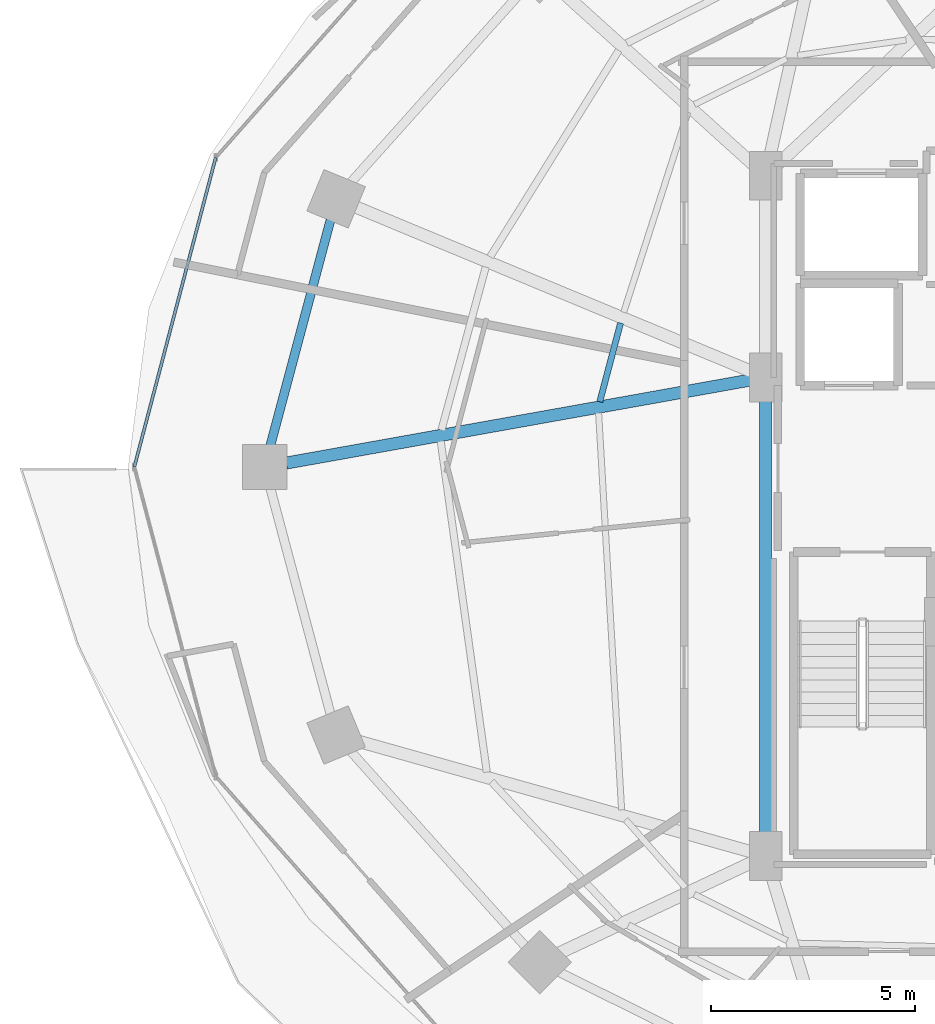
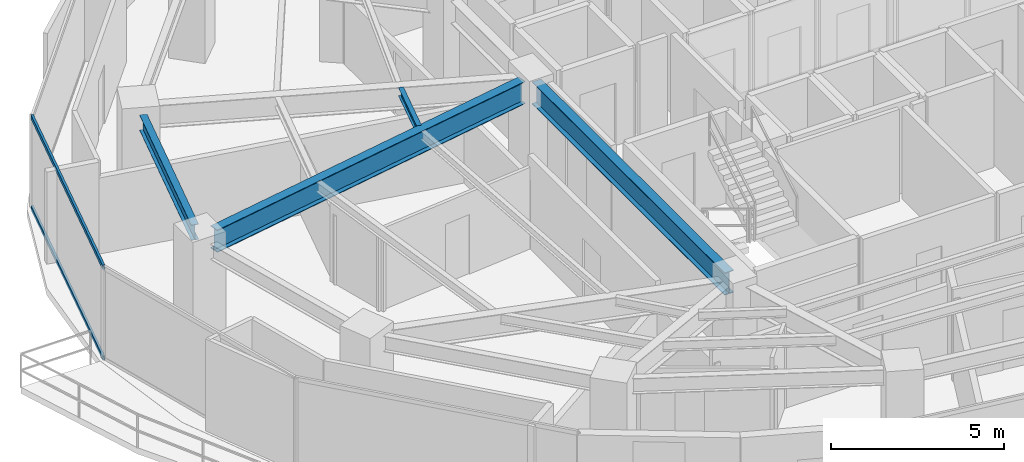
# One storey, part 8 of 30: 4 beams, 2 members, 1 element without a shape of its own.
"""IFC4 building model written with IfcOpenShell, lengths in metres."""

from ifc_helpers import new_model, si_unit, direction, frame, origin, origin_2d, place, context, subcontext, project, spatial, hollow_rectangle, i_section, extrude, material, material_profile, profile_set, type_object, element, aggregate, save


model = new_model("IFC4")

# Units and contexts
model_context = context("Model", 3, precision=1e-05, world=origin(), true_north=direction((0.0, 1.0)))
body_context = subcontext(model_context, "Body", "Model", "MODEL_VIEW")
ifc_project = project(units=[si_unit("LENGTHUNIT", "METRE"), si_unit("AREAUNIT", "SQUARE_METRE"), si_unit("VOLUMEUNIT", "CUBIC_METRE"), si_unit("PLANEANGLEUNIT", "RADIAN"), si_unit("MASSUNIT", "GRAM", prefix="KILO")], contexts=[model_context])

# Site, building, storey
site_placement = place(None, origin())
site = spatial("IfcSite", under=ifc_project, at=site_placement, CompositionType="ELEMENT")
building_placement = place(site_placement, origin())
building = spatial("IfcBuilding", under=site, at=building_placement, Name="Vorneva Point Tower", CompositionType="ELEMENT")
storey_placement = place(building_placement, frame((0.0, 0.0, 78.800048828125)))
storey = spatial("IfcBuildingStorey", under=building, at=storey_placement, Name="L20", CompositionType="ELEMENT", Elevation=78.800048828125)

# Beams
ifc_material_1 = material(Name="Steel S355", Category="steel")
ifc_material_profile_1 = material_profile(ifc_material_1, i_section(OverallWidth=0.300048828125, OverallDepth=0.7880859375, WebThickness=0.014404296875, FlangeThickness=0.02197265625, at=origin_2d()), Name="80Sh1")
ifc_profile_set_1 = profile_set([ifc_material_profile_1], Name="Steel S355")
beam_type_1 = type_object("IfcBeamType", Name="BM-GRD-80Sh1", PredefinedType="USERDEFINED", material=ifc_profile_set_1)
beam_1_placement = place(storey_placement, frame((15.4794921875, 26.0947265625, 2.845947265625), z_axis=(0.984378310682, 0.176066298476, 0.0), x_axis=(-0.176066298476, 0.984378310682, 0.0)))
element("IfcBeam", 1, at=beam_1_placement, inside=storey, type_object=beam_type_1, Name="L20 Radial Primary Girder 09", ObjectType="GIRDER", PredefinedType="USERDEFINED", context=body_context, shape_type="SweptSolid", body=[
    extrude(i_section(OverallWidth=0.300048828125, OverallDepth=0.7880859375, WebThickness=0.014404296875, FlangeThickness=0.02197265625, at=origin_2d()), origin(), (0.0, 0.0, 1.0), 11.6171875),
])
beam_2_placement = place(storey_placement, frame((27.25, 16.77001953125, 2.845947265625), z_axis=(0.0, 1.0, 0.0), x_axis=(-1.0, 0.0, 0.0)))
element("IfcBeam", 2, at=beam_2_placement, inside=storey, type_object=beam_type_1, Name="L20 Core Tie Girder CT1", ObjectType="GIRDER", PredefinedType="USERDEFINED", context=body_context, shape_type="SweptSolid", body=[
    extrude(i_section(OverallWidth=0.300048828125, OverallDepth=0.7880859375, WebThickness=0.014404296875, FlangeThickness=0.02197265625, at=origin_2d()), origin(), (0.0, 0.0, 1.0), 11.10986328125),
])
ifc_material_profile_2 = material_profile(ifc_material_1, i_section(OverallWidth=0.14892578125, OverallDepth=0.298095703125, WebThickness=0.005615234375, FlangeThickness=0.008056640625, at=origin_2d()), Name="30B1")
ifc_profile_set_2 = profile_set([ifc_material_profile_2], Name="Steel S355")
beam_type_2 = type_object("IfcBeamType", Name="BM-JST-30B1", PredefinedType="JOIST", material=ifc_profile_set_2)
beam_3_placement = place(storey_placement, frame((23.688232421875, 29.531982421875, 3.091064453125), z_axis=(-0.255724804331, -0.966749618283, 0.0), x_axis=(0.966749618283, -0.255724804331, 0.0)))
element("IfcBeam", 3, at=beam_3_placement, inside=storey, type_object=beam_type_2, Name="L20 Secondary Floor Beam 2.08", PredefinedType="JOIST", context=body_context, shape_type="SweptSolid", body=[
    extrude(i_section(OverallWidth=0.14892578125, OverallDepth=0.298095703125, WebThickness=0.005615234375, FlangeThickness=0.008056640625, at=origin_2d()), origin(), (0.0, 0.0, 1.0), 2.0),
])
ifc_material_profile_3 = material_profile(ifc_material_1, i_section(OverallWidth=0.219970703125, OverallDepth=0.54296875, WebThickness=0.009521484375, FlangeThickness=0.013427734375, at=origin_2d()), Name="55B1")
ifc_profile_set_3 = profile_set([ifc_material_profile_3], Name="Steel S355")
beam_type_3 = type_object("IfcBeamType", Name="BM-SPN-55B1", PredefinedType="SPANDREL", material=ifc_profile_set_3)
beam_4_placement = place(storey_placement, frame((16.56689453125, 32.065185546875, 2.968505859375), z_axis=(-0.257572674071, -0.966258928845, 0.0), x_axis=(0.966258928845, -0.257572674071, 0.0)))
element("IfcBeam", 4, at=beam_4_placement, inside=storey, type_object=beam_type_3, Name="L20 Perimeter Spandrel Ring Beam 08", PredefinedType="SPANDREL", context=body_context, shape_type="SweptSolid", body=[
    extrude(i_section(OverallWidth=0.219970703125, OverallDepth=0.54296875, WebThickness=0.009521484375, FlangeThickness=0.013427734375, at=origin_2d()), origin(), (0.0, 0.0, 1.0), 5.7421875),
])

# Curtain wall, members
ifc_material_2 = material(Name="Pale anodised aluminium", Category="aluminium")
curtain_wall_type = type_object("IfcCurtainWallType", Name="CW-HTL-SYS", PredefinedType="NOTDEFINED", material=ifc_material_2)
curtain_wall_placement = place(storey_placement, origin())
curtain_wall = element("IfcCurtainWall", 5, at=curtain_wall_placement, inside=storey, type_object=curtain_wall_type, Name="L20 Unitised Curtain Wall CW-L20-R02", PredefinedType="NOTDEFINED")
ifc_material_profile_4 = material_profile(ifc_material_2, hollow_rectangle(XDim=0.074951171875, YDim=0.14990234375, WallThickness=0.00390625, at=origin_2d()), Name="AL-TRN 150x75x4")
ifc_profile_set_4 = profile_set([ifc_material_profile_4], Name="Pale anodised aluminium")
member_type = type_object("IfcMemberType", Name="CW-TRN-150", PredefinedType="USERDEFINED", material=ifc_profile_set_4)
member_1_placement = place(storey_placement, frame((13.748291015625, 33.59619140625, 0.02001953125), z_axis=(-0.254409150465, -0.967096677773, 0.0), x_axis=(0.967096677773, -0.254409150465, 0.0)))
member_1 = element("IfcMember", 6, at=member_1_placement, type_object=member_type, Name="CW-L20-R02 Transom 02.1", ObjectType="TRANSOM", PredefinedType="USERDEFINED", context=body_context, shape_type="SweptSolid", body=[
    extrude(hollow_rectangle(XDim=0.074951171875, YDim=0.14990234375, WallThickness=0.00390625, at=origin_2d()), origin(), (0.0, 0.0, 1.0), 7.854736328125),
])
member_2_placement = place(storey_placement, frame((13.748291015625, 33.59619140625, 3.219970703125), z_axis=(-0.254409150465, -0.967096677773, 0.0), x_axis=(0.967096677773, -0.254409150465, 0.0)))
member_2 = element("IfcMember", 7, at=member_2_placement, type_object=member_type, Name="CW-L20-R02 Transom 02.2", ObjectType="TRANSOM", PredefinedType="USERDEFINED", context=body_context, shape_type="SweptSolid", body=[
    extrude(hollow_rectangle(XDim=0.074951171875, YDim=0.14990234375, WallThickness=0.00390625, at=origin_2d()), origin(), (0.0, 0.0, 1.0), 7.854736328125),
])
aggregate(curtain_wall, [member_1, member_2])

save(model, "model.ifc")
